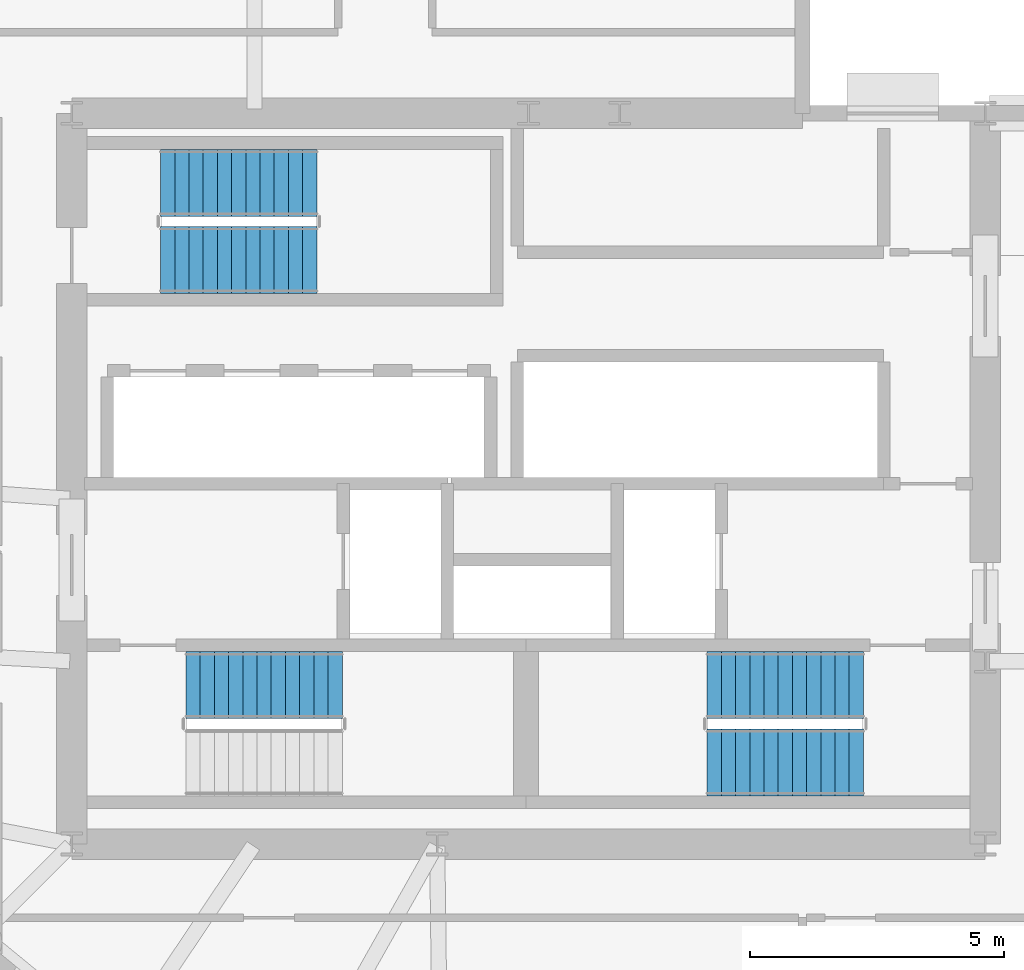
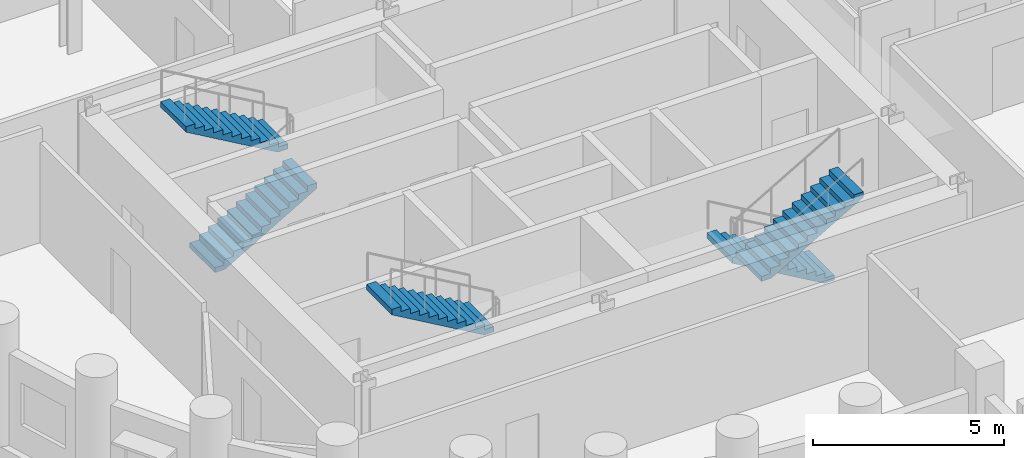
# One storey, part 7 of 10: 5 stair flights, 3 elements without a shape of their own.
"""IFC4 building model written with IfcOpenShell, lengths in metres."""

from ifc_helpers import new_model, si_unit, direction, frame, origin, place, context, subcontext, project, spatial, polyline, outline, extrude, material, type_object, element, aggregate, save


model = new_model("IFC4")

# Units and contexts
model_context = context("Model", 3, precision=1e-05, world=origin(), true_north=direction((0.0, 1.0)))
body_context = subcontext(model_context, "Body", "Model", "MODEL_VIEW")
ifc_project = project(units=[si_unit("LENGTHUNIT", "METRE"), si_unit("AREAUNIT", "SQUARE_METRE"), si_unit("VOLUMEUNIT", "CUBIC_METRE"), si_unit("PLANEANGLEUNIT", "RADIAN"), si_unit("MASSUNIT", "GRAM", prefix="KILO")], contexts=[model_context])

# Site, building, storey
site_placement = place(None, origin())
site = spatial("IfcSite", under=ifc_project, at=site_placement, CompositionType="ELEMENT")
building_placement = place(site_placement, origin())
building = spatial("IfcBuilding", under=site, at=building_placement, Name="Solnavia Interchange Tower", CompositionType="ELEMENT")
storey_placement = place(building_placement, frame((0.0, 0.0, 103.5)))
storey = spatial("IfcBuildingStorey", under=building, at=storey_placement, Name="L25", CompositionType="ELEMENT", Elevation=103.5)

# Stair, stair flight
ifc_material = material(Name="Concrete C40/50", Category="concrete")
stair_type = type_object("IfcStairType", Name="Stair-Dogleg-RC", PredefinedType="HALF_TURN_STAIR", material=ifc_material)
stair_1_placement = place(storey_placement, origin())
stair_1 = element("IfcStair", 1, at=stair_1_placement, inside=storey, type_object=stair_type, Name="L25 Core exit stair 1", PredefinedType="HALF_TURN_STAIR")
stair_flight_type = type_object("IfcStairFlightType", Name="StairFlight-RC-150", PredefinedType="STRAIGHT", material=ifc_material)
stair_flight_1_placement = place(storey_placement, frame((19.72998046875, 13.929931640625, 1.949951171875), z_axis=(0.0, 0.0, 1.0), x_axis=(-1.0, 0.0, 0.0)))
stair_flight_1 = element("IfcStairFlight", 2, at=stair_flight_1_placement, type_object=stair_flight_type, Name="ST-1 flight 2", NumberOfRisers=12, NumberOfTreads=11, PredefinedType="STRAIGHT", RiserHeight=0.1625, TreadLength=0.28, context=body_context, shape_type="SweptSolid", body=[
    extrude(outline(polyline([(0.0, 0.0), (0.0, 0.16259765625), (0.280029296875, 0.16259765625), (0.280029296875, 0.324951171875), (0.56005859375, 0.324951171875), (0.56005859375, 0.487548828125), (0.840087890625, 0.487548828125), (0.840087890625, 0.64990234375), (1.1201171875, 0.64990234375), (1.1201171875, 0.8125), (1.39990234375, 0.8125), (1.39990234375, 0.97509765625), (1.679931640625, 0.97509765625), (1.679931640625, 1.137451171875), (1.9599609375, 1.137451171875), (1.9599609375, 1.300048828125), (2.239990234375, 1.300048828125), (2.239990234375, 1.46240234375), (2.52001953125, 1.46240234375), (2.52001953125, 1.625), (2.800048828125, 1.625), (2.800048828125, 1.78759765625), (3.080078125, 1.78759765625), (3.080078125, 1.949951171875), (3.080078125, 1.6142578125), (0.298583984375, 0.0), (0.0, 0.0)])), frame((0.0, 0.66015625, 0.0), z_axis=(0.0, -1.0, 0.0), x_axis=(1.0, 0.0, 0.0)), (0.0, 0.0, 1.0), 1.320068359375),
])
aggregate(stair_1, [stair_flight_1])

# Stair, stair flights
stair_2_placement = place(storey_placement, origin())
stair_2 = element("IfcStair", 3, at=stair_2_placement, inside=storey, type_object=stair_type, Name="L25 Core exit stair 2", PredefinedType="HALF_TURN_STAIR")
stair_flight_2_placement = place(storey_placement, frame((30.0, 13.929931640625, 0.0), z_axis=(0.0, 0.0, 1.0), x_axis=(-1.0, 0.0, 0.0)))
stair_flight_2 = element("IfcStairFlight", 4, at=stair_flight_2_placement, type_object=stair_flight_type, Name="ST-2 flight 1", NumberOfRisers=12, NumberOfTreads=11, PredefinedType="STRAIGHT", RiserHeight=0.1625, TreadLength=0.28, context=body_context, shape_type="SweptSolid", body=[
    extrude(outline(polyline([(0.0, 0.0), (0.0, 0.16259765625), (0.280029296875, 0.16259765625), (0.280029296875, 0.324951171875), (0.56005859375, 0.324951171875), (0.56005859375, 0.487548828125), (0.840087890625, 0.487548828125), (0.840087890625, 0.64990234375), (1.1201171875, 0.64990234375), (1.1201171875, 0.8125), (1.39990234375, 0.8125), (1.39990234375, 0.97509765625), (1.679931640625, 0.97509765625), (1.679931640625, 1.137451171875), (1.9599609375, 1.137451171875), (1.9599609375, 1.300048828125), (2.239990234375, 1.300048828125), (2.239990234375, 1.46240234375), (2.52001953125, 1.46240234375), (2.52001953125, 1.625), (2.800048828125, 1.625), (2.800048828125, 1.78759765625), (3.080078125, 1.78759765625), (3.080078125, 1.949951171875), (3.080078125, 1.6142578125), (0.298583984375, 0.0), (0.0, 0.0)])), frame((0.0, 0.66015625, 0.0), z_axis=(0.0, -1.0, 0.0), x_axis=(1.0, 0.0, 0.0)), (0.0, 0.0, 1.0), 1.320068359375),
])
stair_flight_3_placement = place(storey_placement, frame((26.919921875, 12.409912109375, 1.949951171875), z_axis=(0.0, 0.0, 1.0), x_axis=(1.0, 0.0, 0.0)))
stair_flight_3 = element("IfcStairFlight", 5, at=stair_flight_3_placement, type_object=stair_flight_type, Name="ST-2 flight 2", NumberOfRisers=12, NumberOfTreads=11, PredefinedType="STRAIGHT", RiserHeight=0.1625, TreadLength=0.28, context=body_context, shape_type="SweptSolid", body=[
    extrude(outline(polyline([(0.0, 0.0), (0.0, 0.16259765625), (0.280029296875, 0.16259765625), (0.280029296875, 0.324951171875), (0.56005859375, 0.324951171875), (0.56005859375, 0.487548828125), (0.840087890625, 0.487548828125), (0.840087890625, 0.64990234375), (1.1201171875, 0.64990234375), (1.1201171875, 0.8125), (1.39990234375, 0.8125), (1.39990234375, 0.97509765625), (1.679931640625, 0.97509765625), (1.679931640625, 1.137451171875), (1.9599609375, 1.137451171875), (1.9599609375, 1.300048828125), (2.239990234375, 1.300048828125), (2.239990234375, 1.46240234375), (2.52001953125, 1.46240234375), (2.52001953125, 1.625), (2.800048828125, 1.625), (2.800048828125, 1.78759765625), (3.080078125, 1.78759765625), (3.080078125, 1.949951171875), (3.080078125, 1.6142578125), (0.298583984375, 0.0), (0.0, 0.0)])), frame((0.0, 0.66015625, 0.0), z_axis=(0.0, -1.0, 0.0), x_axis=(1.0, 0.0, 0.0)), (0.0, 0.0, 1.0), 1.320068359375),
])
aggregate(stair_2, [stair_flight_2, stair_flight_3])

stair_3_placement = place(storey_placement, origin())
stair_3 = element("IfcStair", 6, at=stair_3_placement, inside=storey, type_object=stair_type, Name="L25 Core exit stair 3", PredefinedType="HALF_TURN_STAIR")
stair_flight_4_placement = place(storey_placement, frame((16.14990234375, 22.31005859375, 0.0), z_axis=(0.0, 0.0, 1.0), x_axis=(1.0, 0.0, 0.0)))
stair_flight_4 = element("IfcStairFlight", 7, at=stair_flight_4_placement, type_object=stair_flight_type, Name="ST-3 flight 1", NumberOfRisers=12, NumberOfTreads=11, PredefinedType="STRAIGHT", RiserHeight=0.1625, TreadLength=0.28, context=body_context, shape_type="SweptSolid", body=[
    extrude(outline(polyline([(0.0, 0.0), (0.0, 0.16259765625), (0.280029296875, 0.16259765625), (0.280029296875, 0.324951171875), (0.56005859375, 0.324951171875), (0.56005859375, 0.487548828125), (0.840087890625, 0.487548828125), (0.840087890625, 0.64990234375), (1.1201171875, 0.64990234375), (1.1201171875, 0.8125), (1.39990234375, 0.8125), (1.39990234375, 0.97509765625), (1.679931640625, 0.97509765625), (1.679931640625, 1.137451171875), (1.9599609375, 1.137451171875), (1.9599609375, 1.300048828125), (2.239990234375, 1.300048828125), (2.239990234375, 1.46240234375), (2.52001953125, 1.46240234375), (2.52001953125, 1.625), (2.800048828125, 1.625), (2.800048828125, 1.78759765625), (3.080078125, 1.78759765625), (3.080078125, 1.949951171875), (3.080078125, 1.6142578125), (0.298583984375, 0.0), (0.0, 0.0)])), frame((0.0, 0.66015625, 0.0), z_axis=(0.0, -1.0, 0.0), x_axis=(1.0, 0.0, 0.0)), (0.0, 0.0, 1.0), 1.320068359375),
])
stair_flight_5_placement = place(storey_placement, frame((19.22998046875, 23.830078125, 1.949951171875), z_axis=(0.0, 0.0, 1.0), x_axis=(-1.0, 0.0, 0.0)))
stair_flight_5 = element("IfcStairFlight", 8, at=stair_flight_5_placement, type_object=stair_flight_type, Name="ST-3 flight 2", NumberOfRisers=12, NumberOfTreads=11, PredefinedType="STRAIGHT", RiserHeight=0.1625, TreadLength=0.28, context=body_context, shape_type="SweptSolid", body=[
    extrude(outline(polyline([(0.0, 0.0), (0.0, 0.16259765625), (0.280029296875, 0.16259765625), (0.280029296875, 0.324951171875), (0.56005859375, 0.324951171875), (0.56005859375, 0.487548828125), (0.840087890625, 0.487548828125), (0.840087890625, 0.64990234375), (1.1201171875, 0.64990234375), (1.1201171875, 0.8125), (1.39990234375, 0.8125), (1.39990234375, 0.97509765625), (1.679931640625, 0.97509765625), (1.679931640625, 1.137451171875), (1.9599609375, 1.137451171875), (1.9599609375, 1.300048828125), (2.239990234375, 1.300048828125), (2.239990234375, 1.46240234375), (2.52001953125, 1.46240234375), (2.52001953125, 1.625), (2.800048828125, 1.625), (2.800048828125, 1.78759765625), (3.080078125, 1.78759765625), (3.080078125, 1.949951171875), (3.080078125, 1.6142578125), (0.298583984375, 0.0), (0.0, 0.0)])), frame((0.0, 0.66015625, 0.0), z_axis=(0.0, -1.0, 0.0), x_axis=(1.0, 0.0, 0.0)), (0.0, 0.0, 1.0), 1.320068359375),
])
aggregate(stair_3, [stair_flight_4, stair_flight_5])

save(model, "model.ifc")
